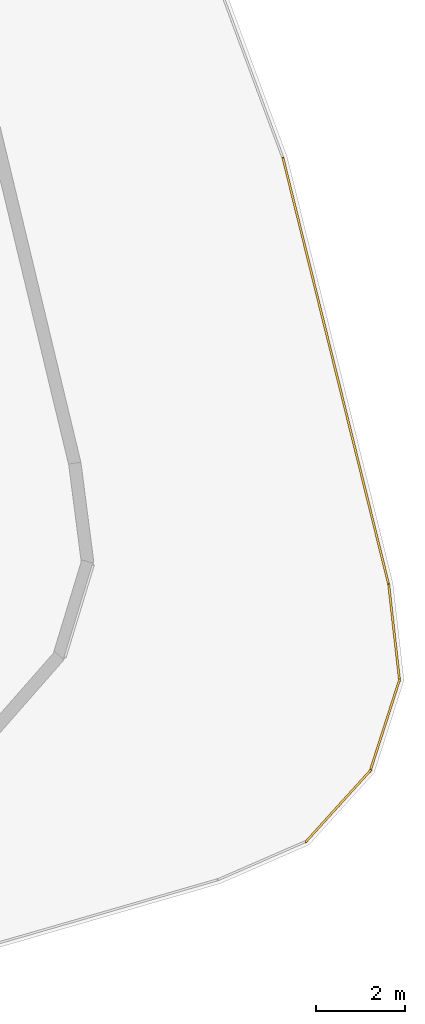
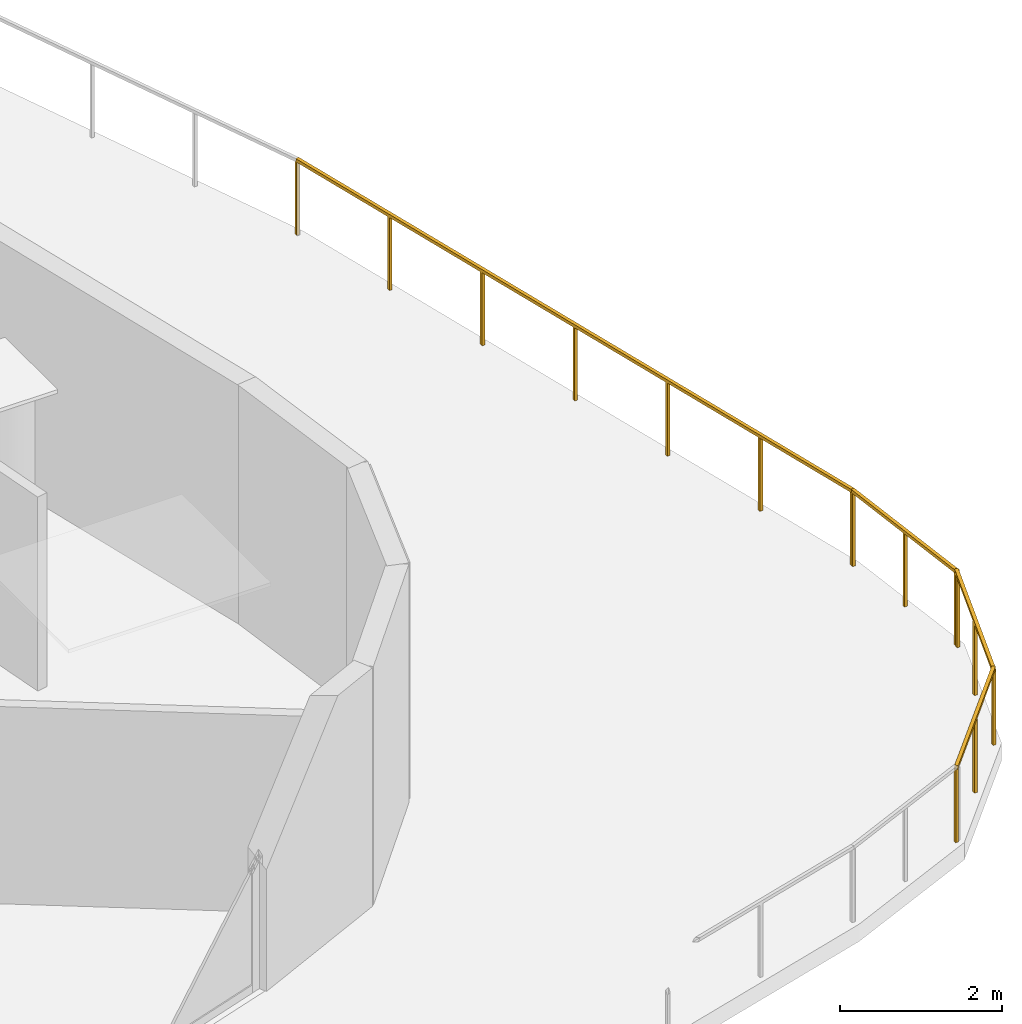
# One storey, part 19 of 19: 4 railings.
"""IFC4 building model written with IfcOpenShell, lengths in metres."""

from ifc_helpers import new_model, si_unit, direction, frame, origin, origin_2d, place, context, subcontext, project, spatial, rectangle, extrude, material, type_object, element, save


model = new_model("IFC4")

# Units and contexts
model_context = context("Model", 3, precision=1e-05, world=origin(), true_north=direction((0.0, 1.0)))
body_context = subcontext(model_context, "Body", "Model", "MODEL_VIEW")
ifc_project = project(units=[si_unit("LENGTHUNIT", "METRE"), si_unit("AREAUNIT", "SQUARE_METRE"), si_unit("VOLUMEUNIT", "CUBIC_METRE"), si_unit("PLANEANGLEUNIT", "RADIAN"), si_unit("MASSUNIT", "GRAM", prefix="KILO")], contexts=[model_context])

# Site, building, storey
site_placement = place(None, origin())
site = spatial("IfcSite", under=ifc_project, at=site_placement, CompositionType="ELEMENT")
building_placement = place(site_placement, origin())
building = spatial("IfcBuilding", under=site, at=building_placement, Name="Tavelor Broadcast Tower", CompositionType="ELEMENT")
storey_placement = place(building_placement, frame((0.0, 0.0, 27.60009765625)))
storey = spatial("IfcBuildingStorey", under=building, at=storey_placement, Name="L05", CompositionType="ELEMENT", Elevation=27.60009765625)

# Railings
ifc_material = material(Name="Steel S355", Category="steel")
railing_type = type_object("IfcRailingType", Name="Planted Terrace Laminated Glass Balustrade 1150 mm", PredefinedType="BALUSTRADE", material=ifc_material)
railing_1_placement = place(storey_placement, frame((81.106201171875, 24.59423828125, 0.0)))
element("IfcRailing", 1, at=railing_1_placement, inside=storey, type_object=railing_type, Name="L05 Cascading Garden Terrace 1 Balustrade #128", PredefinedType="BALUSTRADE", context=body_context, shape_type="SweptSolid", body=[
    extrude(rectangle(XDim=0.048095703125, YDim=0.048095703125, at=origin_2d()), frame((0.0, 0.0, 1.1259765625), z_axis=(0.671100212539, 0.741366646626, 0.0), x_axis=(-0.741366646626, 0.671100212539, 0.0)), (0.0, 0.0, 1.0), 2.18896484375),
    extrude(rectangle(XDim=0.0419921875, YDim=0.0419921875, at=origin_2d()), origin(), (0.0, 0.0, 1.0), 1.101806640625),
    extrude(rectangle(XDim=0.0419921875, YDim=0.0419921875, at=origin_2d()), frame((0.734375, 0.8115234375, 0.0)), (0.0, 0.0, 1.0), 1.101806640625),
    extrude(rectangle(XDim=0.0419921875, YDim=0.0419921875, at=origin_2d()), frame((1.468994140625, 1.622802734375, 0.0)), (0.0, 0.0, 1.0), 1.101806640625),
])
railing_2_placement = place(storey_placement, frame((82.553955078125, 26.1806640625, 0.0)))
element("IfcRailing", 2, at=railing_2_placement, inside=storey, type_object=railing_type, Name="L05 Cascading Garden Terrace 1 Balustrade #129", PredefinedType="BALUSTRADE", context=body_context, shape_type="SweptSolid", body=[
    extrude(rectangle(XDim=0.048095703125, YDim=0.048095703125, at=origin_2d()), frame((0.0, 0.0, 1.1259765625), z_axis=(0.306507386118, 0.951868279887, 0.0), x_axis=(-0.951868279887, 0.306507386118, 0.0)), (0.0, 0.0, 1.0), 2.18896484375),
    extrude(rectangle(XDim=0.0419921875, YDim=0.0419921875, at=origin_2d()), origin(), (0.0, 0.0, 1.0), 1.101806640625),
    extrude(rectangle(XDim=0.0419921875, YDim=0.0419921875, at=origin_2d()), frame((0.33544921875, 1.041748046875, 0.0)), (0.0, 0.0, 1.0), 1.101806640625),
    extrude(rectangle(XDim=0.0419921875, YDim=0.0419921875, at=origin_2d()), frame((0.6708984375, 2.08349609375, 0.0)), (0.0, 0.0, 1.0), 1.101806640625),
])
railing_3_placement = place(storey_placement, frame((83.220703125, 28.222412109375, 0.0)))
element("IfcRailing", 3, at=railing_3_placement, inside=storey, type_object=railing_type, Name="L05 Cascading Garden Terrace 1 Balustrade #130", PredefinedType="BALUSTRADE", context=body_context, shape_type="SweptSolid", body=[
    extrude(rectangle(XDim=0.048095703125, YDim=0.048095703125, at=origin_2d()), frame((0.0, 0.0, 1.1259765625), z_axis=(-0.112316554535, 0.993672477015, 0.0), x_axis=(-0.993672477015, -0.112316554535, 0.0)), (0.0, 0.0, 1.0), 2.18896484375),
    extrude(rectangle(XDim=0.0419921875, YDim=0.0419921875, at=origin_2d()), origin(), (0.0, 0.0, 1.0), 1.101806640625),
    extrude(rectangle(XDim=0.0419921875, YDim=0.0419921875, at=origin_2d()), frame((-0.123046875, 1.08740234375, 0.0)), (0.0, 0.0, 1.0), 1.101806640625),
    extrude(rectangle(XDim=0.0419921875, YDim=0.0419921875, at=origin_2d()), frame((-0.245849609375, 2.175048828125, 0.0)), (0.0, 0.0, 1.0), 1.101806640625),
])
railing_4_placement = place(storey_placement, frame((82.97705078125, 30.384521484375, 0.0)))
element("IfcRailing", 4, at=railing_4_placement, inside=storey, type_object=railing_type, Name="L05 Cascading Garden Terrace 1 Balustrade #131", PredefinedType="BALUSTRADE", context=body_context, shape_type="SweptSolid", body=[
    extrude(rectangle(XDim=0.048095703125, YDim=0.048095703125, at=origin_2d()), frame((0.0, 0.0, 1.1259765625), z_axis=(-0.240551783821, 0.970636306399, 0.0), x_axis=(-0.970636306399, -0.240551783821, 0.0)), (0.0, 0.0, 1.0), 9.905517578125),
    extrude(rectangle(XDim=0.0419921875, YDim=0.0419921875, at=origin_2d()), origin(), (0.0, 0.0, 1.0), 1.101806640625),
    extrude(rectangle(XDim=0.0419921875, YDim=0.0419921875, at=origin_2d()), frame((-0.397216796875, 1.6025390625, 0.0)), (0.0, 0.0, 1.0), 1.101806640625),
    extrude(rectangle(XDim=0.0419921875, YDim=0.0419921875, at=origin_2d()), frame((-0.794189453125, 3.204833984375, 0.0)), (0.0, 0.0, 1.0), 1.101806640625),
    extrude(rectangle(XDim=0.0419921875, YDim=0.0419921875, at=origin_2d()), frame((-1.19140625, 4.807373046875, 0.0)), (0.0, 0.0, 1.0), 1.101806640625),
    extrude(rectangle(XDim=0.0419921875, YDim=0.0419921875, at=origin_2d()), frame((-1.588623046875, 6.409912109375, 0.0)), (0.0, 0.0, 1.0), 1.101806640625),
    extrude(rectangle(XDim=0.0419921875, YDim=0.0419921875, at=origin_2d()), frame((-1.985595703125, 8.01220703125, 0.0)), (0.0, 0.0, 1.0), 1.101806640625),
    extrude(rectangle(XDim=0.0419921875, YDim=0.0419921875, at=origin_2d()), frame((-2.3828125, 9.61474609375, 0.0)), (0.0, 0.0, 1.0), 1.101806640625),
])

save(model, "model.ifc")
